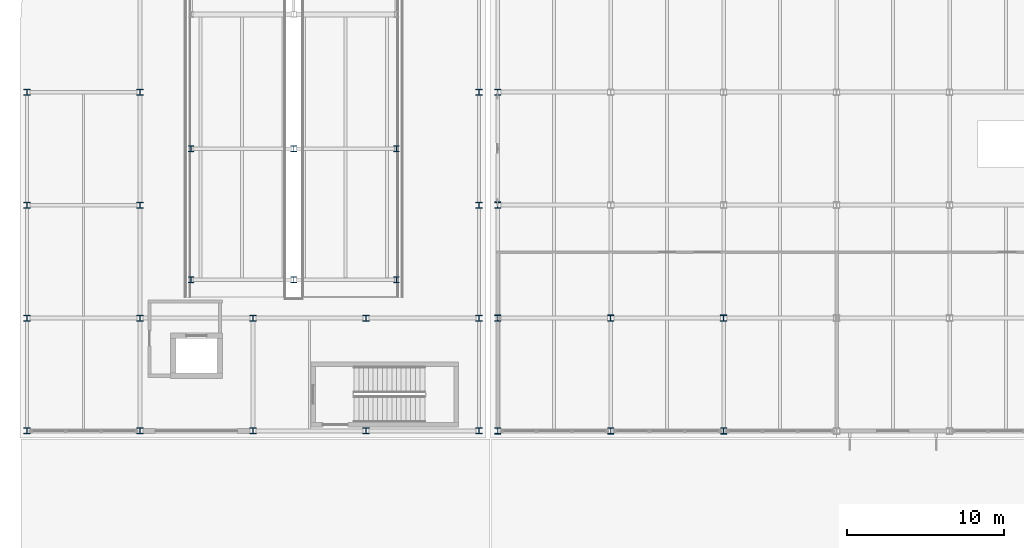
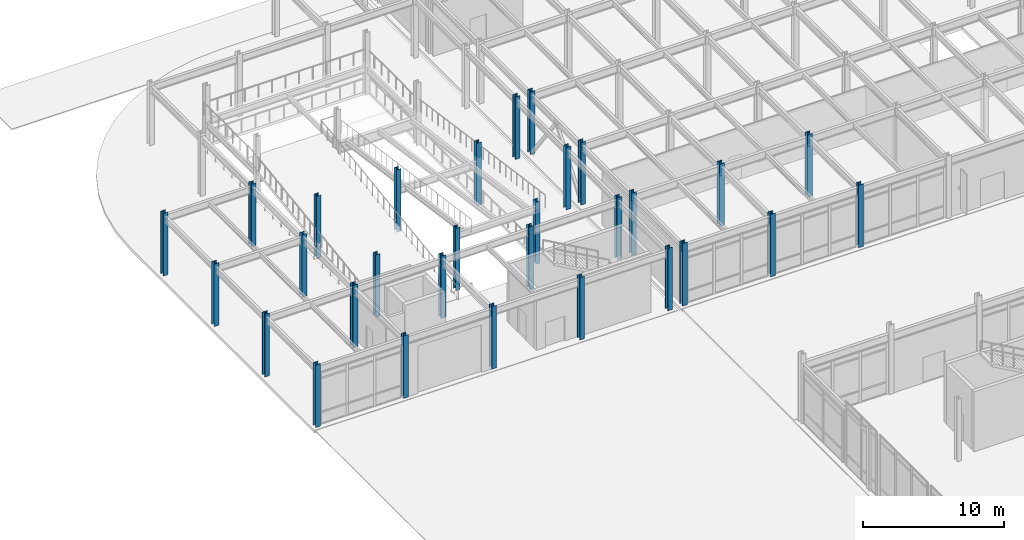
# One storey, part 5 of 104: 30 columns.
"""IFC4 building model written with IfcOpenShell, lengths in metres."""

from ifc_helpers import new_model, si_unit, direction, frame, origin, origin_2d, place, context, subcontext, project, spatial, i_section, extrude, material, material_profile, profile_set, type_object, element, save


model = new_model("IFC4")

# Units and contexts
model_context = context("Model", 3, precision=1e-05, world=origin(), true_north=direction((0.0, 1.0)))
body_context = subcontext(model_context, "Body", "Model", "MODEL_VIEW")
ifc_project = project(units=[si_unit("LENGTHUNIT", "METRE"), si_unit("AREAUNIT", "SQUARE_METRE"), si_unit("VOLUMEUNIT", "CUBIC_METRE"), si_unit("PLANEANGLEUNIT", "RADIAN"), si_unit("MASSUNIT", "GRAM", prefix="KILO")], contexts=[model_context])

# Site, building, storey
site_placement = place(None, origin())
site = spatial("IfcSite", under=ifc_project, at=site_placement, CompositionType="ELEMENT")
building_placement = place(site_placement, origin())
building = spatial("IfcBuilding", under=site, at=building_placement, Name="Vaelcorin Mobility Hub", CompositionType="ELEMENT")
storey_placement = place(building_placement, origin())
storey = spatial("IfcBuildingStorey", under=building, at=storey_placement, Name="L00", CompositionType="ELEMENT", Elevation=0.0)

# Columns
ifc_material = material(Name="Steel ASTM A992 Grade 50", Category="steel")
ifc_material_profile_1 = material_profile(ifc_material, i_section(OverallWidth=0.373046875, OverallDepth=0.373046875, WebThickness=0.016357421875, FlangeThickness=0.026123046875, FilletRadius=0.014892578125, at=origin_2d()), Name="W14X132")
ifc_profile_set_1 = profile_set([ifc_material_profile_1], Name="Steel ASTM A992 Grade 50")
column_type_1 = type_object("IfcColumnType", Name="COL-W14X132", PredefinedType="COLUMN", material=ifc_profile_set_1)
for number, where, z_axis, x_axis, name in (
    (1, (16.449951171875, 86.449951171875, 0.0), (0.0, 0.0, 1.0), (1.0, 0.0, 0.0), "Column V2W-RDRM-WS L00"),
    (2, (23.0, 86.449951171875, 0.0), (0.0, 0.0, 1.0), (1.0, 0.0, 0.0), "Column V2W-RDRM-MS L00"),
    (3, (29.550048828125, 86.449951171875, 0.0), (0.0, 0.0, 1.0), (1.0, 0.0, 0.0), "Column V2W-RDRM-ES L00"),
    (4, (16.449951171875, 94.800048828125, 0.0), (0.0, 0.0, 1.0), (1.0, 0.0, 0.0), "Column V2W-RDRM-WC L00"),
    (5, (23.0, 94.800048828125, 0.0), (0.0, 0.0, 1.0), (1.0, 0.0, 0.0), "Column V2W-RDRM-MC L00"),
    (6, (29.550048828125, 94.800048828125, 0.0), (0.0, 0.0, 1.0), (1.0, 0.0, 0.0), "Column V2W-RDRM-EC L00"),
):
    element("IfcColumn", number, at=place(storey_placement, frame(where, z_axis=z_axis, x_axis=x_axis)), inside=storey, type_object=column_type_1, Name=name, PredefinedType="COLUMN", context=body_context, shape_type="SweptSolid", body=[
        extrude(i_section(OverallWidth=0.373046875, OverallDepth=0.373046875, WebThickness=0.016357421875, FlangeThickness=0.026123046875, FilletRadius=0.014892578125, at=origin_2d()), origin(), (0.0, 0.0, 1.0), 5.39990234375),
    ])
ifc_material_profile_2 = material_profile(ifc_material, i_section(OverallWidth=0.39599609375, OverallDepth=0.381103515625, WebThickness=0.018798828125, FlangeThickness=0.0302734375, FilletRadius=0.014892578125, at=origin_2d()), Name="W14X159")
ifc_profile_set_2 = profile_set([ifc_material_profile_2], Name="Steel ASTM A992 Grade 50")
column_type_2 = type_object("IfcColumnType", Name="COL-W14X159", PredefinedType="COLUMN", material=ifc_profile_set_2)
for number, where, z_axis, x_axis, name in (
    (7, (6.0, 76.800048828125, 0.0), (0.0, 0.0, 1.0), (1.0, 0.0, 0.0), "Column V2W-G1x1 L00"),
    (8, (6.0, 84.0, 0.0), (0.0, 0.0, 1.0), (1.0, 0.0, 0.0), "Column V2W-G1x2 L00"),
    (9, (6.0, 91.199951171875, 0.0), (0.0, 0.0, 1.0), (1.0, 0.0, 0.0), "Column V2W-G1x3 L00"),
    (10, (6.0, 98.39990234375, 0.0), (0.0, 0.0, 1.0), (1.0, 0.0, 0.0), "Column V2W-G1x4 L00"),
    (11, (13.199951171875, 76.800048828125, 0.0), (0.0, 0.0, 1.0), (1.0, 0.0, 0.0), "Column V2W-G2x1 L00"),
    (12, (13.199951171875, 84.0, 0.0), (0.0, 0.0, 1.0), (1.0, 0.0, 0.0), "Column V2W-G2x2 L00"),
    (13, (13.199951171875, 91.199951171875, 0.0), (0.0, 0.0, 1.0), (1.0, 0.0, 0.0), "Column V2W-G2x3 L00"),
    (14, (13.199951171875, 98.39990234375, 0.0), (0.0, 0.0, 1.0), (1.0, 0.0, 0.0), "Column V2W-G2x4 L00"),
    (15, (20.39990234375, 76.800048828125, 0.0), (0.0, 0.0, 1.0), (1.0, 0.0, 0.0), "Column V2W-G3x1 L00"),
    (16, (20.39990234375, 84.0, 0.0), (0.0, 0.0, 1.0), (1.0, 0.0, 0.0), "Column V2W-G3x2 L00"),
    (17, (27.60009765625, 76.800048828125, 0.0), (0.0, 0.0, 1.0), (1.0, 0.0, 0.0), "Column V2W-G4x1 L00"),
    (18, (27.60009765625, 84.0, 0.0), (0.0, 0.0, 1.0), (1.0, 0.0, 0.0), "Column V2W-G4x2 L00"),
    (19, (34.800048828125, 76.800048828125, 0.0), (0.0, 0.0, 1.0), (1.0, 0.0, 0.0), "Column V2W-G5x1 L00"),
    (20, (34.800048828125, 84.0, 0.0), (0.0, 0.0, 1.0), (1.0, 0.0, 0.0), "Column V2W-G5x2 L00"),
    (21, (34.800048828125, 91.199951171875, 0.0), (0.0, 0.0, 1.0), (1.0, 0.0, 0.0), "Column V2W-G5x3 L00"),
    (22, (34.800048828125, 98.39990234375, 0.0), (0.0, 0.0, 1.0), (1.0, 0.0, 0.0), "Column V2W-G5x4 L00"),
):
    element("IfcColumn", number, at=place(storey_placement, frame(where, z_axis=z_axis, x_axis=x_axis)), inside=storey, type_object=column_type_2, Name=name, PredefinedType="COLUMN", context=body_context, shape_type="SweptSolid", body=[
        extrude(i_section(OverallWidth=0.39599609375, OverallDepth=0.381103515625, WebThickness=0.018798828125, FlangeThickness=0.0302734375, FilletRadius=0.014892578125, at=origin_2d()), origin(), (0.0, 0.0, 1.0), 5.39990234375),
    ])
ifc_material_profile_3 = material_profile(ifc_material, i_section(OverallWidth=0.39892578125, OverallDepth=0.39404296875, WebThickness=0.022705078125, FlangeThickness=0.03662109375, FilletRadius=0.014892578125, at=origin_2d()), Name="W14X193")
ifc_profile_set_3 = profile_set([ifc_material_profile_3], Name="Steel ASTM A992 Grade 50")
column_type_3 = type_object("IfcColumnType", Name="COL-W14X193", PredefinedType="COLUMN", material=ifc_profile_set_3)
for number, where, z_axis, x_axis, name in (
    (23, (36.0, 76.800048828125, 0.0), (0.0, 0.0, 1.0), (1.0, 0.0, 0.0), "Column V4-X01Y01 L00"),
    (24, (36.0, 91.199951171875, 0.0), (0.0, 0.0, 1.0), (1.0, 0.0, 0.0), "Column V4-X01Y03 L00"),
    (25, (36.0, 98.39990234375, 0.0), (0.0, 0.0, 1.0), (1.0, 0.0, 0.0), "Column V4-X01Y04 L00"),
    (26, (43.199951171875, 76.800048828125, 0.0), (0.0, 0.0, 1.0), (1.0, 0.0, 0.0), "Column V4-X02Y01 L00"),
    (27, (50.39990234375, 76.800048828125, 0.0), (0.0, 0.0, 1.0), (1.0, 0.0, 0.0), "Column V4-X03Y01 L00"),
):
    element("IfcColumn", number, at=place(storey_placement, frame(where, z_axis=z_axis, x_axis=x_axis)), inside=storey, type_object=column_type_3, Name=name, PredefinedType="COLUMN", context=body_context, shape_type="SweptSolid", body=[
        extrude(i_section(OverallWidth=0.39892578125, OverallDepth=0.39404296875, WebThickness=0.022705078125, FlangeThickness=0.03662109375, FilletRadius=0.014892578125, at=origin_2d()), origin(), (0.0, 0.0, 1.0), 5.39990234375),
    ])
ifc_material_profile_4 = material_profile(ifc_material, i_section(OverallWidth=0.404052734375, OverallDepth=0.406005859375, WebThickness=0.027099609375, FlangeThickness=0.043701171875, FilletRadius=0.014892578125, at=origin_2d()), Name="W14X233")
ifc_profile_set_4 = profile_set([ifc_material_profile_4], Name="Steel ASTM A992 Grade 50")
column_type_4 = type_object("IfcColumnType", Name="COL-W14X233", PredefinedType="COLUMN", material=ifc_profile_set_4)
for number, where, z_axis, x_axis, name in (
    (28, (36.0, 84.0, 0.0), (0.0, 0.0, 1.0), (1.0, 0.0, 0.0), "Column V4-X01Y02 L00"),
    (29, (43.199951171875, 84.0, 0.0), (0.0, 0.0, 1.0), (1.0, 0.0, 0.0), "Column V4-X02Y02 L00"),
    (30, (50.39990234375, 84.0, 0.0), (0.0, 0.0, 1.0), (1.0, 0.0, 0.0), "Column V4-X03Y02 L00"),
):
    element("IfcColumn", number, at=place(storey_placement, frame(where, z_axis=z_axis, x_axis=x_axis)), inside=storey, type_object=column_type_4, Name=name, PredefinedType="COLUMN", context=body_context, shape_type="SweptSolid", body=[
        extrude(i_section(OverallWidth=0.404052734375, OverallDepth=0.406005859375, WebThickness=0.027099609375, FlangeThickness=0.043701171875, FilletRadius=0.014892578125, at=origin_2d()), origin(), (0.0, 0.0, 1.0), 5.39990234375),
    ])

save(model, "model.ifc")
